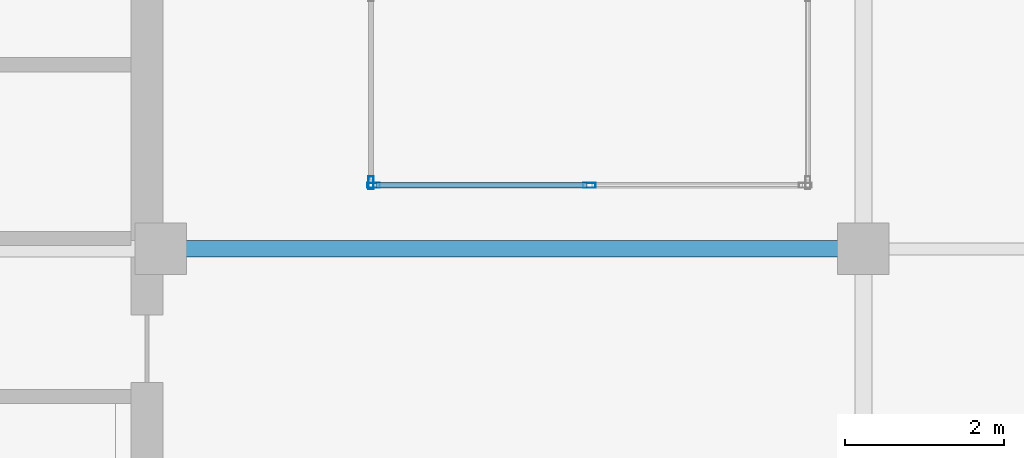
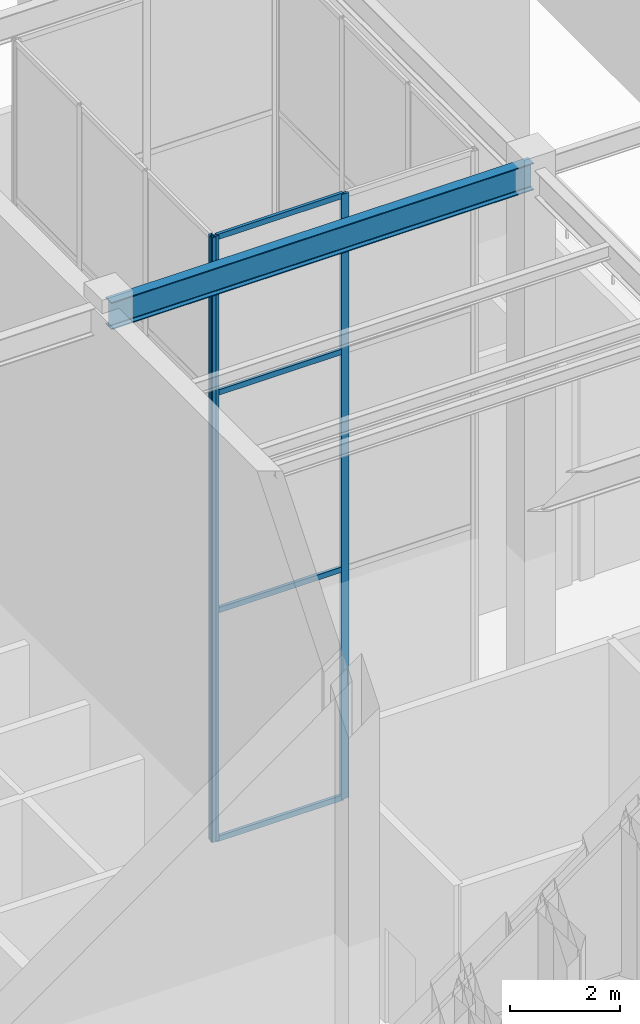
# One storey, part 2 of 15: 7 members, 1 beam, 2 elements without a shape of their own.
"""IFC4 building model written with IfcOpenShell, lengths in metres."""

from ifc_helpers import new_model, si_unit, direction, frame, origin, origin_2d, place, context, subcontext, project, spatial, hollow_rectangle, i_section, extrude, material, layer, layer_set, material_profile, profile_set, type_object, element, aggregate, save


model = new_model("IFC4")

# Units and contexts
model_context = context("Model", 3, precision=1e-05, world=origin(), true_north=direction((0.0, 1.0)))
body_context = subcontext(model_context, "Body", "Model", "MODEL_VIEW")
ifc_project = project(units=[si_unit("LENGTHUNIT", "METRE"), si_unit("AREAUNIT", "SQUARE_METRE"), si_unit("VOLUMEUNIT", "CUBIC_METRE"), si_unit("PLANEANGLEUNIT", "RADIAN"), si_unit("MASSUNIT", "GRAM", prefix="KILO")], contexts=[model_context])

# Site, building, storey
site_placement = place(None, origin())
site = spatial("IfcSite", under=ifc_project, at=site_placement, CompositionType="ELEMENT")
building_placement = place(site_placement, origin())
building = spatial("IfcBuilding", under=site, at=building_placement, Name="Kundavana Baori Tower", CompositionType="ELEMENT")
storey_placement = place(building_placement, frame((0.0, 0.0, 354.699951171875)))
storey = spatial("IfcBuildingStorey", under=building, at=storey_placement, Name="L88", CompositionType="ELEMENT", Elevation=354.699951171875)

# Beam
ifc_material_1 = material(Name="Structural Steel S355JR", Category="steel")
ifc_material_profile_1 = material_profile(ifc_material_1, i_section(OverallWidth=0.2099609375, OverallDepth=0.60009765625, WebThickness=0.011962890625, FlangeThickness=0.020751953125, FilletRadius=0.02001953125, at=origin_2d()), Name="ISMB 600")
ifc_profile_set_1 = profile_set([ifc_material_profile_1], Name="Structural Steel S355JR")
beam_type = type_object("IfcBeamType", Name="BM-ST-600", PredefinedType="BEAM", material=ifc_profile_set_1)
beam_placement = place(storey_placement, frame((24.949951171875, 24.199951171875, 13.10009765625), z_axis=(1.0, 0.0, 0.0), x_axis=(0.0, 1.0, 0.0)))
element("IfcBeam", 1, at=beam_placement, inside=storey, type_object=beam_type, Name="L88 Primary Grid Girder GX-2-2", PredefinedType="BEAM", context=body_context, shape_type="SweptSolid", body=[
    extrude(i_section(OverallWidth=0.2099609375, OverallDepth=0.60009765625, WebThickness=0.011962890625, FlangeThickness=0.020751953125, FilletRadius=0.02001953125, at=origin_2d()), origin(), (0.0, 0.0, 1.0), 8.85009765625),
])

# Curtain wall, members
ifc_material_2 = material(Name="Thermally Broken Anodised Aluminium Framing", Category="aluminium")
ifc_layer = layer(ifc_material_2, 0.25, Name="CW-SYS-7")
ifc_layer_set = layer_set([ifc_layer], Name="Thermally Broken Anodised Aluminium Framing")
curtain_wall_type = type_object("IfcCurtainWallType", Name="CW-SYS-7", PredefinedType="NOTDEFINED", material=ifc_layer_set)
curtain_wall_1_placement = place(storey_placement, origin())
curtain_wall_1 = element("IfcCurtainWall", 2, at=curtain_wall_1_placement, inside=storey, type_object=curtain_wall_type, Name="L88 Atrium Glazed Curtain Wall S", PredefinedType="NOTDEFINED")
ifc_material_3 = material(Name="Thermally Broken Anodised Aluminium Framing", Category="aluminium")
ifc_material_profile_2 = material_profile(ifc_material_3, hollow_rectangle(XDim=0.06494140625, YDim=0.159912109375, WallThickness=0.00390625, at=origin_2d()), Name="CW-MULL-160")
ifc_profile_set_2 = profile_set([ifc_material_profile_2], Name="Thermally Broken Anodised Aluminium Framing")
member_type_1 = type_object("IfcMemberType", Name="CW-MULL-160", PredefinedType="MULLION", material=ifc_profile_set_2)
member_1_placement = place(storey_placement, frame((27.632568359375, 25.0, 0.0), z_axis=(0.0, 0.0, 1.0), x_axis=(0.0, 1.0, 0.0)))
member_1 = element("IfcMember", 3, at=member_1_placement, type_object=member_type_1, Name="CW7 mullion 1", PredefinedType="MULLION", context=body_context, shape_type="SweptSolid", body=[
    extrude(hollow_rectangle(XDim=0.06494140625, YDim=0.159912109375, WallThickness=0.00390625, at=origin_2d()), origin(), (0.0, 0.0, 1.0), 13.400146484375),
])
member_2_placement = place(storey_placement, frame((30.35009765625, 25.0, 0.0), z_axis=(0.0, 0.0, 1.0), x_axis=(0.0, 1.0, 0.0)))
member_2 = element("IfcMember", 4, at=member_2_placement, type_object=member_type_1, Name="CW7 mullion 2", PredefinedType="MULLION", context=body_context, shape_type="SweptSolid", body=[
    extrude(hollow_rectangle(XDim=0.06494140625, YDim=0.159912109375, WallThickness=0.00390625, at=origin_2d()), origin(), (0.0, 0.0, 1.0), 13.400146484375),
])

# Curtain wall, member
curtain_wall_2_placement = place(storey_placement, origin())
curtain_wall_2 = element("IfcCurtainWall", 5, at=curtain_wall_2_placement, inside=storey, type_object=curtain_wall_type, Name="L88 Atrium Glazed Curtain Wall W", PredefinedType="NOTDEFINED")
member_3_placement = place(storey_placement, frame((27.60009765625, 25.032470703125, 0.0), z_axis=(0.0, 0.0, 1.0), x_axis=(1.0, 0.0, 0.0)))
member_3 = element("IfcMember", 6, at=member_3_placement, type_object=member_type_1, Name="CW7 mullion 4", PredefinedType="MULLION", context=body_context, shape_type="SweptSolid", body=[
    extrude(hollow_rectangle(XDim=0.06494140625, YDim=0.159912109375, WallThickness=0.00390625, at=origin_2d()), origin(), (0.0, 0.0, 1.0), 13.400146484375),
])
aggregate(curtain_wall_2, [member_3])

# Member
ifc_material_4 = material(Name="Thermally Broken Anodised Aluminium Framing", Category="aluminium")
ifc_material_profile_3 = material_profile(ifc_material_4, hollow_rectangle(XDim=0.06494140625, YDim=0.1201171875, WallThickness=0.00390625, at=origin_2d()), Name="CW-TRAN-120")
ifc_profile_set_3 = profile_set([ifc_material_profile_3], Name="Thermally Broken Anodised Aluminium Framing")
member_type_2 = type_object("IfcMemberType", Name="CW-TRAN-120", PredefinedType="USERDEFINED", material=ifc_profile_set_3)
member_4_placement = place(storey_placement, frame((27.6650390625, 25.0, 0.032470703125), z_axis=(1.0, 0.0, 0.0), x_axis=(0.0, 1.0, 0.0)))
member_4 = element("IfcMember", 7, at=member_4_placement, type_object=member_type_2, Name="CW7 transom 1.1", ObjectType="TRANSOM", PredefinedType="USERDEFINED", context=body_context, shape_type="SweptSolid", body=[
    extrude(hollow_rectangle(XDim=0.06494140625, YDim=0.1201171875, WallThickness=0.00390625, at=origin_2d()), origin(), (0.0, 0.0, 1.0), 2.65234375),
])

member_5_placement = place(storey_placement, frame((27.6650390625, 25.0, 5.092041015625), z_axis=(1.0, 0.0, 0.0), x_axis=(0.0, 1.0, 0.0)))
member_5 = element("IfcMember", 8, at=member_5_placement, type_object=member_type_2, Name="CW7 transom 1.2", ObjectType="TRANSOM", PredefinedType="USERDEFINED", context=body_context, shape_type="SweptSolid", body=[
    extrude(hollow_rectangle(XDim=0.06494140625, YDim=0.1201171875, WallThickness=0.00390625, at=origin_2d()), origin(), (0.0, 0.0, 1.0), 2.65234375),
])

member_6_placement = place(storey_placement, frame((27.6650390625, 25.0, 9.916015625), z_axis=(1.0, 0.0, 0.0), x_axis=(0.0, 1.0, 0.0)))
member_6 = element("IfcMember", 9, at=member_6_placement, type_object=member_type_2, Name="CW7 transom 1.3", ObjectType="TRANSOM", PredefinedType="USERDEFINED", context=body_context, shape_type="SweptSolid", body=[
    extrude(hollow_rectangle(XDim=0.06494140625, YDim=0.1201171875, WallThickness=0.00390625, at=origin_2d()), origin(), (0.0, 0.0, 1.0), 2.65234375),
])

member_7_placement = place(storey_placement, frame((27.6650390625, 25.0, 13.367431640625), z_axis=(1.0, 0.0, 0.0), x_axis=(0.0, 1.0, 0.0)))
member_7 = element("IfcMember", 10, at=member_7_placement, type_object=member_type_2, Name="CW7 transom 1.4", ObjectType="TRANSOM", PredefinedType="USERDEFINED", context=body_context, shape_type="SweptSolid", body=[
    extrude(hollow_rectangle(XDim=0.06494140625, YDim=0.1201171875, WallThickness=0.00390625, at=origin_2d()), origin(), (0.0, 0.0, 1.0), 2.65234375),
])

aggregate(curtain_wall_1, [member_1, member_2, member_4, member_5, member_6, member_7])

save(model, "model.ifc")
